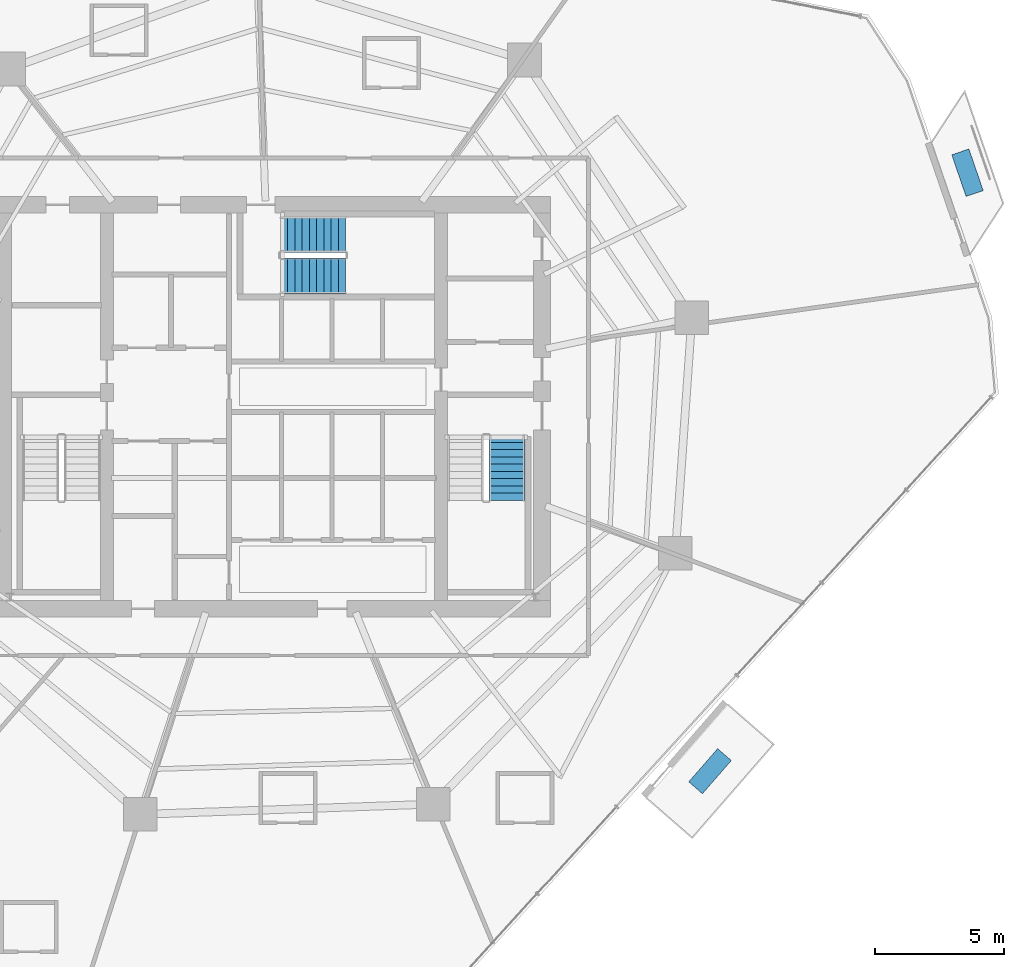
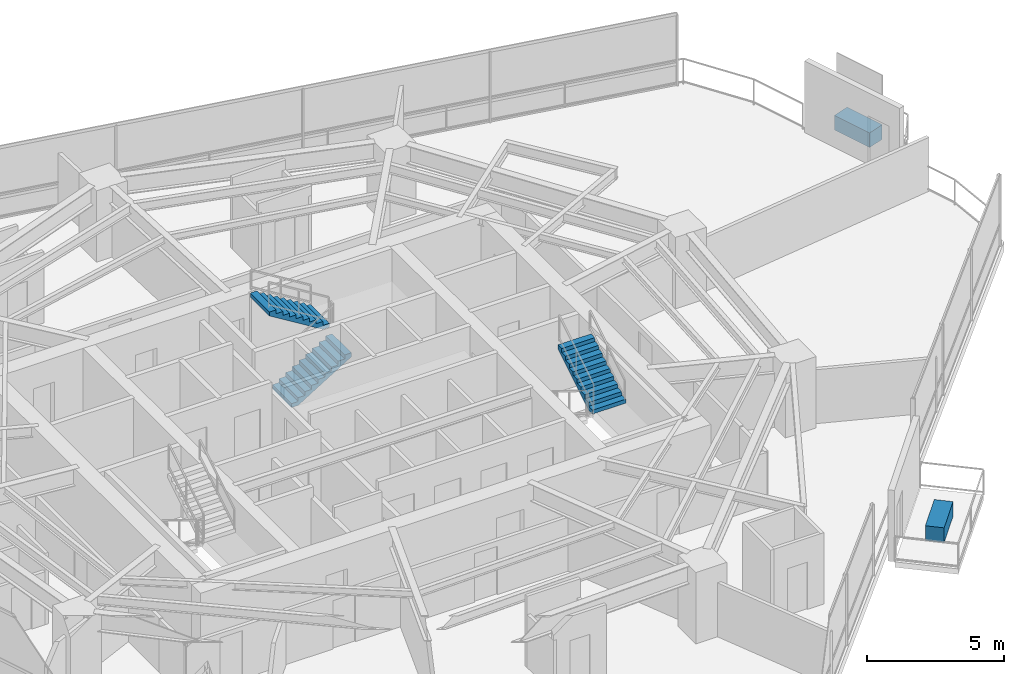
# One storey, part 29 of 33: 3 stair flights, 2 discrete accessories, 2 elements without a shape of their own.
"""IFC4 building model written with IfcOpenShell, lengths in metres."""

from ifc_helpers import new_model, si_unit, direction, frame, origin, origin_2d, place, context, subcontext, project, spatial, polyline, rectangle, outline, extrude, material, type_object, element, aggregate, save


model = new_model("IFC4")

# Units and contexts
model_context = context("Model", 3, precision=1e-05, world=origin(), true_north=direction((0.0, 1.0)))
body_context = subcontext(model_context, "Body", "Model", "MODEL_VIEW")
ifc_project = project(units=[si_unit("LENGTHUNIT", "METRE"), si_unit("AREAUNIT", "SQUARE_METRE"), si_unit("VOLUMEUNIT", "CUBIC_METRE"), si_unit("PLANEANGLEUNIT", "RADIAN"), si_unit("MASSUNIT", "GRAM", prefix="KILO")], contexts=[model_context])

# Site, building, storey
site_placement = place(None, origin())
site = spatial("IfcSite", under=ifc_project, at=site_placement, CompositionType="ELEMENT")
building_placement = place(site_placement, origin())
building = spatial("IfcBuilding", under=site, at=building_placement, Name="Qarnah Convention Tower", CompositionType="ELEMENT")
storey_placement = place(building_placement, frame((0.0, 0.0, 27.0)))
storey = spatial("IfcBuildingStorey", under=building, at=storey_placement, Name="L05", CompositionType="ELEMENT", Elevation=27.0)

# Stair, stair flight
ifc_material_1 = material(Name="Concrete C50/60", Category="concrete")
stair_type = type_object("IfcStairType", Name="STR-HTL", PredefinedType="HALF_TURN_STAIR", material=ifc_material_1)
stair_1_placement = place(storey_placement, origin())
stair_1 = element("IfcStair", 1, at=stair_1_placement, inside=storey, type_object=stair_type, Name="L05 Core exit stair ST-2", PredefinedType="HALF_TURN_STAIR")
stair_flight_type = type_object("IfcStairFlightType", Name="FLT-HTL", PredefinedType="STRAIGHT", material=ifc_material_1)
stair_flight_1_placement = place(storey_placement, frame((46.25, 22.780029296875, 1.72509765625), z_axis=(0.0, 0.0, 1.0), x_axis=(0.0, 1.0, 0.0)))
stair_flight_1 = element("IfcStairFlight", 2, at=stair_flight_1_placement, type_object=stair_flight_type, Name="ST-2 flight 2", NumberOfRisers=10, NumberOfTreads=9, PredefinedType="STRAIGHT", RiserHeight=0.1725, TreadLength=0.28, context=body_context, shape_type="SweptSolid", body=[
    extrude(outline(polyline([(0.0, 0.0), (0.0, 0.172607421875), (0.280029296875, 0.172607421875), (0.280029296875, 0.344970703125), (0.56005859375, 0.344970703125), (0.56005859375, 0.517578125), (0.840087890625, 0.517578125), (0.840087890625, 0.68994140625), (1.1201171875, 0.68994140625), (1.1201171875, 0.862548828125), (1.39990234375, 0.862548828125), (1.39990234375, 1.034912109375), (1.679931640625, 1.034912109375), (1.679931640625, 1.20751953125), (1.9599609375, 1.20751953125), (1.9599609375, 1.3798828125), (2.239990234375, 1.3798828125), (2.239990234375, 1.552490234375), (2.52001953125, 1.552490234375), (2.52001953125, 1.72509765625), (2.52001953125, 1.37646484375), (0.285888671875, 0.0), (0.0, 0.0)])), frame((0.0, 0.699951171875, 0.0), z_axis=(0.0, -1.0, 0.0), x_axis=(1.0, 0.0, 0.0)), (0.0, 0.0, 1.0), 1.39990234375),
])
aggregate(stair_1, [stair_flight_1])

# Stair, stair flights
stair_2_placement = place(storey_placement, origin())
stair_2 = element("IfcStair", 3, at=stair_2_placement, inside=storey, type_object=stair_type, Name="L05 Core exit stair ST-3", PredefinedType="HALF_TURN_STAIR")
stair_flight_2_placement = place(storey_placement, frame((37.5, 31.449951171875, 0.0), z_axis=(0.0, 0.0, 1.0), x_axis=(1.0, 0.0, 0.0)))
stair_flight_2 = element("IfcStairFlight", 4, at=stair_flight_2_placement, type_object=stair_flight_type, Name="ST-3 flight 1", NumberOfRisers=10, NumberOfTreads=9, PredefinedType="STRAIGHT", RiserHeight=0.1725, TreadLength=0.28, context=body_context, shape_type="SweptSolid", body=[
    extrude(outline(polyline([(0.0, 0.0), (0.0, 0.172607421875), (0.280029296875, 0.172607421875), (0.280029296875, 0.344970703125), (0.56005859375, 0.344970703125), (0.56005859375, 0.517578125), (0.840087890625, 0.517578125), (0.840087890625, 0.68994140625), (1.1201171875, 0.68994140625), (1.1201171875, 0.862548828125), (1.39990234375, 0.862548828125), (1.39990234375, 1.034912109375), (1.679931640625, 1.034912109375), (1.679931640625, 1.20751953125), (1.9599609375, 1.20751953125), (1.9599609375, 1.3798828125), (2.239990234375, 1.3798828125), (2.239990234375, 1.552490234375), (2.52001953125, 1.552490234375), (2.52001953125, 1.72509765625), (2.52001953125, 1.37646484375), (0.285888671875, 0.0), (0.0, 0.0)])), frame((0.0, 0.699951171875, 0.0), z_axis=(0.0, -1.0, 0.0), x_axis=(1.0, 0.0, 0.0)), (0.0, 0.0, 1.0), 1.39990234375),
])
stair_flight_3_placement = place(storey_placement, frame((40.02001953125, 33.050048828125, 1.72509765625), z_axis=(0.0, 0.0, 1.0), x_axis=(-1.0, 0.0, 0.0)))
stair_flight_3 = element("IfcStairFlight", 5, at=stair_flight_3_placement, type_object=stair_flight_type, Name="ST-3 flight 2", NumberOfRisers=10, NumberOfTreads=9, PredefinedType="STRAIGHT", RiserHeight=0.1725, TreadLength=0.28, context=body_context, shape_type="SweptSolid", body=[
    extrude(outline(polyline([(0.0, 0.0), (0.0, 0.172607421875), (0.280029296875, 0.172607421875), (0.280029296875, 0.344970703125), (0.56005859375, 0.344970703125), (0.56005859375, 0.517578125), (0.840087890625, 0.517578125), (0.840087890625, 0.68994140625), (1.1201171875, 0.68994140625), (1.1201171875, 0.862548828125), (1.39990234375, 0.862548828125), (1.39990234375, 1.034912109375), (1.679931640625, 1.034912109375), (1.679931640625, 1.20751953125), (1.9599609375, 1.20751953125), (1.9599609375, 1.3798828125), (2.239990234375, 1.3798828125), (2.239990234375, 1.552490234375), (2.52001953125, 1.552490234375), (2.52001953125, 1.72509765625), (2.52001953125, 1.37646484375), (0.285888671875, 0.0), (0.0, 0.0)])), frame((0.0, 0.699951171875, 0.0), z_axis=(0.0, -1.0, 0.0), x_axis=(1.0, 0.0, 0.0)), (0.0, 0.0, 1.0), 1.39990234375),
])
aggregate(stair_2, [stair_flight_2, stair_flight_3])

# Discrete accessories
ifc_material_2 = material(Name="Precast concrete C45/55", Category="concrete")
discrete_accessory_type = type_object("IfcDiscreteAccessoryType", Name="ACC-PLANTER-900", PredefinedType="USERDEFINED", material=ifc_material_2)
for number, where, z_axis, x_axis, name in (
    (6, (64.031982421875, 35.43603515625, 0.0), (0.0, 0.0, 1.0), (-0.324742909981, 0.945802327348, 0.0), "L05 irrigated desert balcony PLANTER BAL-L05-C1"),
    (7, (54.091064453125, 12.327880859375, 0.0), (0.0, 0.0, 1.0), (0.656717387452, 0.754136773416, 0.0), "L05 irrigated desert balcony PLANTER VN-L05"),
):
    element("IfcDiscreteAccessory", number, at=place(storey_placement, frame(where, z_axis=z_axis, x_axis=x_axis)), inside=storey, type_object=discrete_accessory_type, Name=name, ObjectType="PLANTER", PredefinedType="USERDEFINED", context=body_context, shape_type="SweptSolid", body=[
        extrude(rectangle(XDim=1.699951171875, YDim=0.699951171875, at=origin_2d()), origin(), (0.0, 0.0, 1.0), 0.64990234375),
    ])

save(model, "model.ifc")
